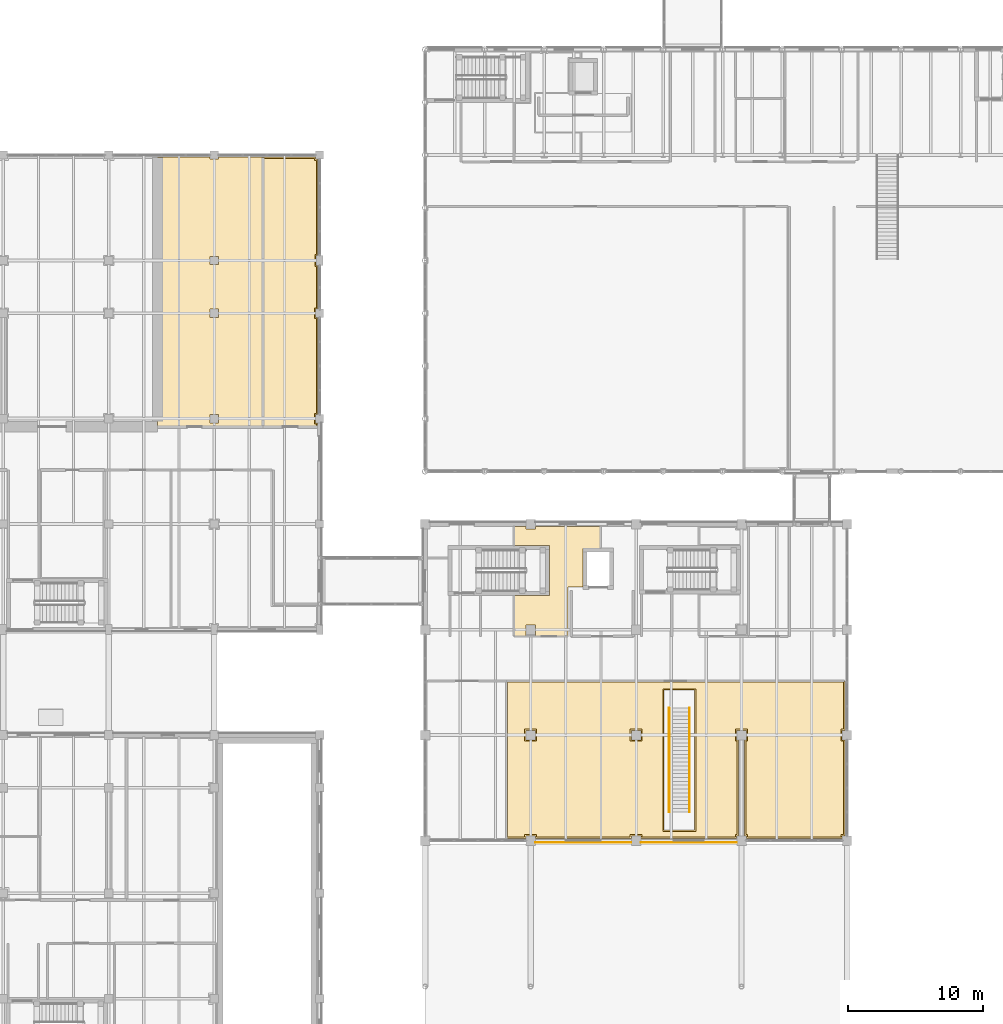
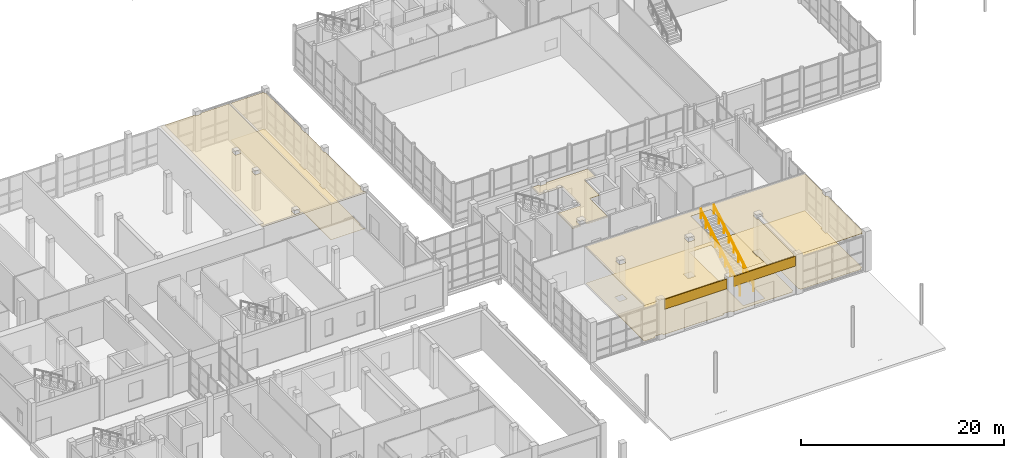
# One storey, part 116 of 131: 8 coverings, 4 railings.
"""IFC4 building model written with IfcOpenShell, lengths in metres."""

from ifc_helpers import new_model, si_unit, direction, frame, origin, origin_2d, place, context, subcontext, project, spatial, polyline, rectangle, circle, outline, extrude, material, layer, layer_set, type_object, element, save


model = new_model("IFC4")

# Units and contexts
model_context = context("Model", 3, precision=1e-05, world=origin(), true_north=direction((0.0, 1.0)))
body_context = subcontext(model_context, "Body", "Model", "MODEL_VIEW")
ifc_project = project(units=[si_unit("LENGTHUNIT", "METRE"), si_unit("AREAUNIT", "SQUARE_METRE"), si_unit("VOLUMEUNIT", "CUBIC_METRE"), si_unit("PLANEANGLEUNIT", "RADIAN"), si_unit("MASSUNIT", "GRAM", prefix="KILO")], contexts=[model_context])

# Site, building, storey
site_placement = place(None, origin())
site = spatial("IfcSite", under=ifc_project, at=site_placement, CompositionType="ELEMENT")
building_placement = place(site_placement, origin())
building = spatial("IfcBuilding", under=site, at=building_placement, Name="Celorna Specialist Clinic", CompositionType="ELEMENT")
storey_placement = place(building_placement, origin())
storey = spatial("IfcBuildingStorey", under=building, at=storey_placement, Name="L00", CompositionType="ELEMENT", Elevation=0.0)

# Railings
ifc_material_1 = material(Name="Stainless steel and laminated glass balustrade", Category="steel")
railing_type_1 = type_object("IfcRailingType", Name="BL-01", PredefinedType="BALUSTRADE", material=ifc_material_1)
for number, where, name in (
    (1, (74.14990234375, 21.60009765625, 0.17138671875), "Feature stair ST-14 balustrade"),
    (2, (72.64990234375, 21.60009765625, 0.17138671875), "Feature stair ST-14 balustrade"),
):
    element("IfcRailing", number, at=place(storey_placement, frame(where)), inside=storey, type_object=railing_type_1, Name=name, PredefinedType="BALUSTRADE", context=body_context, shape_type="SweptSolid", body=[
        extrude(circle(Radius=0.02392578125, at=origin_2d()), frame((0.0, 0.0, 1.09619140625), z_axis=(0.0, 0.85691423757, 0.515459008506), x_axis=(-1.0, 0.0, 0.0)), (0.0, 0.0, 1.0), 8.979736328125),
        extrude(circle(Radius=0.02099609375, at=origin_2d()), origin(), (0.0, 0.0, 1.0), 1.072021484375),
        extrude(circle(Radius=0.02099609375, at=origin_2d()), frame((0.0, 0.9619140625, 0.57861328125)), (0.0, 0.0, 1.0), 1.072021484375),
        extrude(circle(Radius=0.02099609375, at=origin_2d()), frame((0.0, 1.923828125, 1.1572265625)), (0.0, 0.0, 1.0), 1.072021484375),
        extrude(circle(Radius=0.02099609375, at=origin_2d()), frame((0.0, 2.885498046875, 1.73583984375)), (0.0, 0.0, 1.0), 1.072021484375),
        extrude(circle(Radius=0.02099609375, at=origin_2d()), frame((0.0, 3.847412109375, 2.314453125)), (0.0, 0.0, 1.0), 1.072021484375),
        extrude(circle(Radius=0.02099609375, at=origin_2d()), frame((0.0, 4.809326171875, 2.892822265625)), (0.0, 0.0, 1.0), 1.072021484375),
        extrude(circle(Radius=0.02099609375, at=origin_2d()), frame((0.0, 5.77099609375, 3.471435546875)), (0.0, 0.0, 1.0), 1.072021484375),
        extrude(circle(Radius=0.02099609375, at=origin_2d()), frame((0.0, 6.73291015625, 4.050048828125)), (0.0, 0.0, 1.0), 1.072021484375),
        extrude(circle(Radius=0.02099609375, at=origin_2d()), frame((0.0, 7.69482421875, 4.628662109375)), (0.0, 0.0, 1.0), 1.072021484375),
    ])

# Coverings
ifc_material_2 = material(Name="Hygienic acoustic mineral-fibre ceiling")
ifc_layer_1 = layer(ifc_material_2, 0.030029296875, Name="Hygienic acoustic mineral-fibre ceiling")
ifc_layer_set_1 = layer_set([ifc_layer_1], Name="Hygienic acoustic mineral-fibre ceiling")
covering_type_1 = type_object("IfcCoveringType", Name="CE-01", PredefinedType="CEILING", material=ifc_layer_set_1)
covering_1_placement = place(storey_placement, frame((0.0, 0.0, 4.330078125)))
element("IfcCovering", 3, at=covering_1_placement, inside=storey, type_object=covering_type_1, Name="Acoustic ceiling L00-035", PredefinedType="CEILING", context=body_context, shape_type="SweptSolid", body=[
    extrude(outline(polyline([(38.695068359375, 70.044921875), (38.695068359375, 69.89501953125), (39.304931640625, 69.89501953125), (39.304931640625, 70.044921875), (42.635009765625, 70.044921875), (42.635009765625, 50.0849609375), (34.804931640625, 50.0849609375), (34.804931640625, 70.044921875), (38.695068359375, 70.044921875)]), holes=[polyline([(39.304931640625, 51.0048828125), (38.695068359375, 51.0048828125), (38.695068359375, 50.39501953125), (39.304931640625, 50.39501953125), (39.304931640625, 51.0048828125)]), polyline([(39.304931640625, 58.195068359375), (39.304931640625, 58.804931640625), (38.695068359375, 58.804931640625), (38.695068359375, 58.195068359375), (39.304931640625, 58.195068359375)]), polyline([(39.304931640625, 62.094970703125), (39.304931640625, 62.705078125), (38.695068359375, 62.705078125), (38.695068359375, 62.094970703125), (39.304931640625, 62.094970703125)])]), origin(), (0.0, 0.0, 1.0), 0.030029296875),
])
covering_2_placement = place(storey_placement, frame((0.0, 0.0, 4.330078125)))
element("IfcCovering", 4, at=covering_2_placement, inside=storey, type_object=covering_type_1, Name="Acoustic ceiling L00-036", PredefinedType="CEILING", context=body_context, shape_type="SweptSolid", body=[
    extrude(outline(polyline([(46.4951171875, 70.044921875), (46.4951171875, 69.89501953125), (46.64501953125, 69.89501953125), (46.64501953125, 62.780029296875), (46.544921875, 62.780029296875), (46.544921875, 62.02001953125), (46.64501953125, 62.02001953125), (46.64501953125, 58.804931640625), (46.4951171875, 58.804931640625), (46.4951171875, 58.195068359375), (46.64501953125, 58.195068359375), (46.64501953125, 51.0048828125), (46.4951171875, 51.0048828125), (46.4951171875, 50.39501953125), (46.64501953125, 50.39501953125), (46.64501953125, 50.0849609375), (42.60498046875, 50.0849609375), (42.60498046875, 70.044921875), (46.4951171875, 70.044921875)])), origin(), (0.0, 0.0, 1.0), 0.030029296875),
])
covering_3_placement = place(storey_placement, frame((0.0, 0.0, 4.330078125)))
element("IfcCovering", 5, at=covering_3_placement, inside=storey, type_object=covering_type_1, Name="Acoustic ceiling L00-103", PredefinedType="CEILING", context=body_context, shape_type="SweptSolid", body=[
    extrude(outline(polyline([(85.64501953125, 31.31494140625), (85.64501953125, 27.655029296875), (85.445068359375, 27.655029296875), (85.445068359375, 26.945068359375), (85.64501953125, 26.945068359375), (85.64501953125, 19.85498046875), (85.445068359375, 19.85498046875), (85.445068359375, 19.655029296875), (78.35498046875, 19.655029296875), (78.35498046875, 19.85498046875), (78.235107421875, 19.85498046875), (78.235107421875, 26.945068359375), (78.35498046875, 26.945068359375), (78.35498046875, 27.655029296875), (77.64501953125, 27.655029296875), (77.64501953125, 26.945068359375), (77.764892578125, 26.945068359375), (77.764892578125, 19.85498046875), (77.64501953125, 19.85498046875), (77.64501953125, 19.655029296875), (70.554931640625, 19.655029296875), (70.554931640625, 19.85498046875), (69.844970703125, 19.85498046875), (69.844970703125, 19.655029296875), (62.7548828125, 19.655029296875), (62.7548828125, 19.85498046875), (62.044921875, 19.85498046875), (62.044921875, 19.655029296875), (60.60498046875, 19.655029296875), (60.60498046875, 31.31494140625), (85.64501953125, 31.31494140625)]), holes=[polyline([(74.534912109375, 30.6298828125), (72.264892578125, 30.6298828125), (72.264892578125, 20.264892578125), (74.534912109375, 20.264892578125), (74.534912109375, 30.6298828125)]), polyline([(70.554931640625, 26.945068359375), (70.554931640625, 27.655029296875), (69.844970703125, 27.655029296875), (69.844970703125, 26.945068359375), (70.554931640625, 26.945068359375)]), polyline([(62.7548828125, 26.945068359375), (62.7548828125, 27.655029296875), (62.044921875, 27.655029296875), (62.044921875, 26.945068359375), (62.7548828125, 26.945068359375)])]), origin(), (0.0, 0.0, 1.0), 0.030029296875),
])
covering_4_placement = place(storey_placement, frame((0.0, 0.0, 4.330078125)))
element("IfcCovering", 6, at=covering_4_placement, inside=storey, type_object=covering_type_1, Name="Acoustic ceiling L00-104", PredefinedType="CEILING", context=body_context, shape_type="SweptSolid", body=[
    extrude(outline(polyline([(61.155029296875, 34.5849609375), (61.155029296875, 37.635009765625), (63.784912109375, 37.635009765625), (63.784912109375, 41.304931640625), (61.155029296875, 41.304931640625), (61.155029296875, 42.7451171875), (62.044921875, 42.7451171875), (62.044921875, 42.544921875), (62.7548828125, 42.544921875), (62.7548828125, 42.7451171875), (67.5849609375, 42.7451171875), (67.5849609375, 41.110107421875), (66.2900390625, 41.110107421875), (66.2900390625, 38.235107421875), (65.1650390625, 38.235107421875), (65.1650390625, 34.5849609375), (62.7451171875, 34.5849609375), (62.7451171875, 34.7451171875), (62.7548828125, 34.7451171875), (62.7548828125, 35.455078125), (62.044921875, 35.455078125), (62.044921875, 34.7451171875), (62.054931640625, 34.7451171875), (62.054931640625, 34.5849609375), (61.155029296875, 34.5849609375)])), origin(), (0.0, 0.0, 1.0), 0.030029296875),
])
ifc_material_3 = material(Name="Pero Pinheiro Lioz limestone rainscreen cladding", Category="masonry")
ifc_layer_2 = layer(ifc_material_3, 0.044921875, Name="Pero Pinheiro Lioz limestone rainscreen cladding")
ifc_layer_set_2 = layer_set([ifc_layer_2], Name="Pero Pinheiro Lioz limestone rainscreen cladding")
covering_type_2 = type_object("IfcCoveringType", Name="CL-01", PredefinedType="CLADDING", material=ifc_layer_set_2)
for number, where, z_axis, x_axis, name in (
    (7, (66.300048828125, 19.3525390625, 3.35009765625), (0.0, 0.0, 1.0), (-1.0, 0.0, 0.0), "Lioz spandrel cladding #378"),
    (8, (74.10009765625, 19.3525390625, 3.35009765625), (0.0, 0.0, 1.0), (-1.0, 0.0, 0.0), "Lioz spandrel cladding #379"),
):
    element("IfcCovering", number, at=place(storey_placement, frame(where, z_axis=z_axis, x_axis=x_axis)), inside=storey, type_object=covering_type_2, Name=name, PredefinedType="CLADDING", context=body_context, shape_type="SweptSolid", body=[
        extrude(rectangle(XDim=7.10009765625, YDim=0.044921875, at=origin_2d()), origin(), (0.0, 0.0, 1.0), 1.18994140625),
    ])
ifc_material_4 = material(Name="Seamless antimicrobial clinical vinyl and Lioz terrazzo flooring")
ifc_layer_3 = layer(ifc_material_4, 0.02001953125, Name="Seamless antimicrobial clinical vinyl and Lioz terrazzo flooring")
ifc_layer_set_3 = layer_set([ifc_layer_3], Name="Seamless antimicrobial clinical vinyl and Lioz terrazzo flooring")
covering_type_3 = type_object("IfcCoveringType", Name="FL-01", PredefinedType="FLOORING", material=ifc_layer_set_3)
covering_5_placement = place(storey_placement, origin())
element("IfcCovering", 9, at=covering_5_placement, inside=storey, type_object=covering_type_3, Name="Antimicrobial clinical flooring L00-036", PredefinedType="FLOORING", context=body_context, shape_type="SweptSolid", body=[
    extrude(outline(polyline([(42.695068359375, 69.955078125), (46.4150390625, 69.955078125), (46.4150390625, 69.81494140625), (46.554931640625, 69.81494140625), (46.554931640625, 62.860107421875), (46.465087890625, 62.860107421875), (46.465087890625, 61.93994140625), (46.554931640625, 61.93994140625), (46.554931640625, 58.885009765625), (46.4150390625, 58.885009765625), (46.4150390625, 58.114990234375), (46.554931640625, 58.114990234375), (46.554931640625, 51.0849609375), (46.4150390625, 51.0849609375), (46.4150390625, 50.31494140625), (46.554931640625, 50.31494140625), (46.554931640625, 50.175048828125), (42.695068359375, 50.175048828125), (42.695068359375, 69.955078125)])), origin(), (0.0, 0.0, 1.0), 0.02001953125),
])
covering_6_placement = place(storey_placement, origin())
element("IfcCovering", 10, at=covering_6_placement, inside=storey, type_object=covering_type_3, Name="Antimicrobial clinical flooring L00-103", PredefinedType="FLOORING", context=body_context, shape_type="SweptSolid", body=[
    extrude(outline(polyline([(60.695068359375, 31.22509765625), (85.554931640625, 31.22509765625), (85.554931640625, 27.735107421875), (85.364990234375, 27.735107421875), (85.364990234375, 26.864990234375), (85.554931640625, 26.864990234375), (85.554931640625, 19.93505859375), (85.364990234375, 19.93505859375), (85.364990234375, 19.7451171875), (78.43505859375, 19.7451171875), (78.43505859375, 19.93505859375), (78.324951171875, 19.93505859375), (78.324951171875, 26.864990234375), (78.43505859375, 26.864990234375), (78.43505859375, 27.735107421875), (77.56494140625, 27.735107421875), (77.56494140625, 26.864990234375), (77.675048828125, 26.864990234375), (77.675048828125, 19.93505859375), (77.56494140625, 19.93505859375), (77.56494140625, 19.7451171875), (70.635009765625, 19.7451171875), (70.635009765625, 19.93505859375), (69.764892578125, 19.93505859375), (69.764892578125, 19.7451171875), (62.8349609375, 19.7451171875), (62.8349609375, 19.93505859375), (61.965087890625, 19.93505859375), (61.965087890625, 19.7451171875), (60.695068359375, 19.7451171875), (60.695068359375, 31.22509765625)]), holes=[polyline([(74.625, 20.175048828125), (74.625, 30.719970703125), (72.175048828125, 30.719970703125), (72.175048828125, 20.175048828125), (74.625, 20.175048828125)]), polyline([(70.635009765625, 26.864990234375), (70.635009765625, 27.735107421875), (69.764892578125, 27.735107421875), (69.764892578125, 26.864990234375), (70.635009765625, 26.864990234375)]), polyline([(62.8349609375, 26.864990234375), (62.8349609375, 27.735107421875), (61.965087890625, 27.735107421875), (61.965087890625, 26.864990234375), (62.8349609375, 26.864990234375)])]), origin(), (0.0, 0.0, 1.0), 0.02001953125),
])

# Railings
ifc_material_5 = material(Name="Brushed stainless steel handrail", Category="steel")
railing_type_2 = type_object("IfcRailingType", Name="HR-01", PredefinedType="HANDRAIL", material=ifc_material_5)
for number, where, name in (
    (11, (74.14990234375, 21.60009765625, 0.17138671875), "Feature stair ST-14 handrail"),
    (12, (72.64990234375, 21.60009765625, 0.17138671875), "Feature stair ST-14 handrail"),
):
    element("IfcRailing", number, at=place(storey_placement, frame(where)), inside=storey, type_object=railing_type_2, Name=name, PredefinedType="HANDRAIL", context=body_context, shape_type="SweptSolid", body=[
        extrude(circle(Radius=0.02392578125, at=origin_2d()), frame((0.0, 0.0, 0.8759765625), z_axis=(0.0, 0.85691423757, 0.515459008506), x_axis=(-1.0, 0.0, 0.0)), (0.0, 0.0, 1.0), 8.979736328125),
        extrude(circle(Radius=0.02099609375, at=origin_2d()), origin(), (0.0, 0.0, 1.0), 0.851806640625),
        extrude(circle(Radius=0.02099609375, at=origin_2d()), frame((0.0, 0.9619140625, 0.57861328125)), (0.0, 0.0, 1.0), 0.851806640625),
        extrude(circle(Radius=0.02099609375, at=origin_2d()), frame((0.0, 1.923828125, 1.1572265625)), (0.0, 0.0, 1.0), 0.851806640625),
        extrude(circle(Radius=0.02099609375, at=origin_2d()), frame((0.0, 2.885498046875, 1.73583984375)), (0.0, 0.0, 1.0), 0.851806640625),
        extrude(circle(Radius=0.02099609375, at=origin_2d()), frame((0.0, 3.847412109375, 2.314453125)), (0.0, 0.0, 1.0), 0.851806640625),
        extrude(circle(Radius=0.02099609375, at=origin_2d()), frame((0.0, 4.809326171875, 2.892822265625)), (0.0, 0.0, 1.0), 0.851806640625),
        extrude(circle(Radius=0.02099609375, at=origin_2d()), frame((0.0, 5.77099609375, 3.471435546875)), (0.0, 0.0, 1.0), 0.851806640625),
        extrude(circle(Radius=0.02099609375, at=origin_2d()), frame((0.0, 6.73291015625, 4.050048828125)), (0.0, 0.0, 1.0), 0.851806640625),
        extrude(circle(Radius=0.02099609375, at=origin_2d()), frame((0.0, 7.69482421875, 4.628662109375)), (0.0, 0.0, 1.0), 0.851806640625),
    ])

save(model, "model.ifc")
